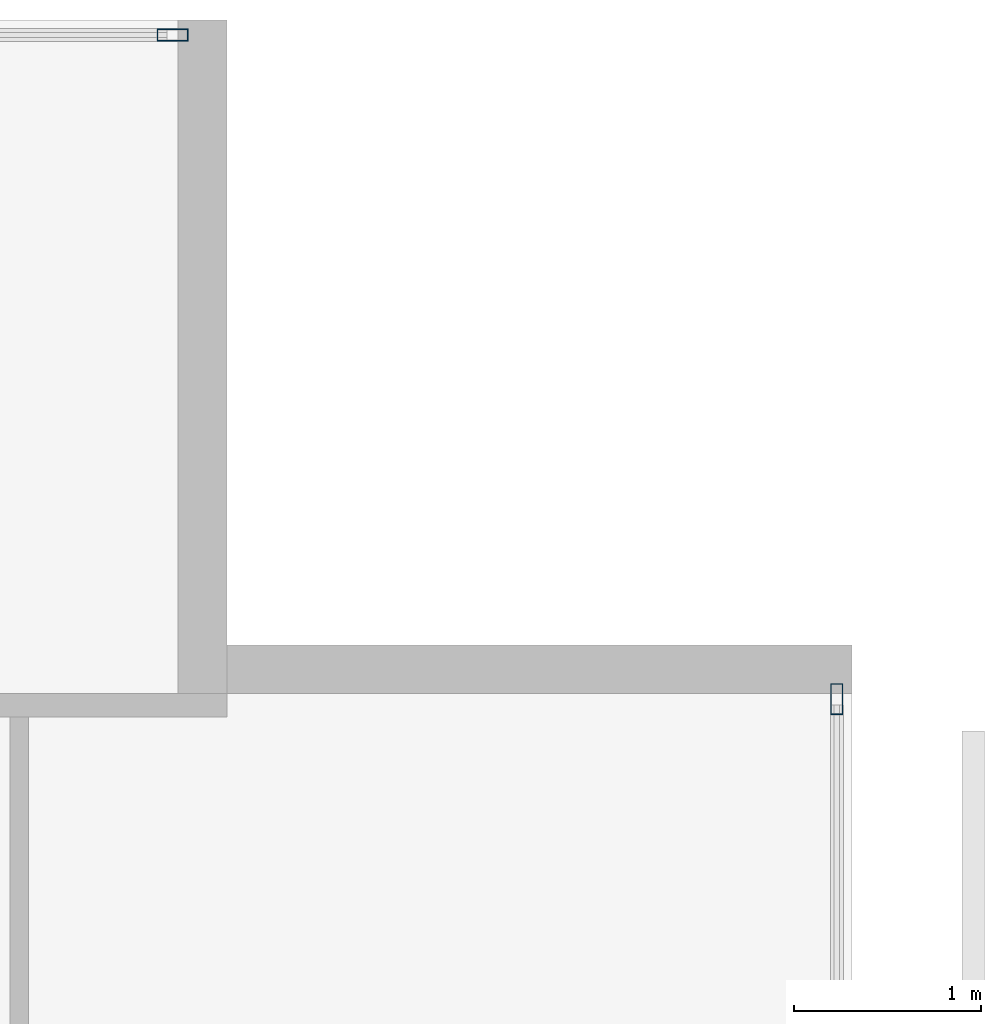
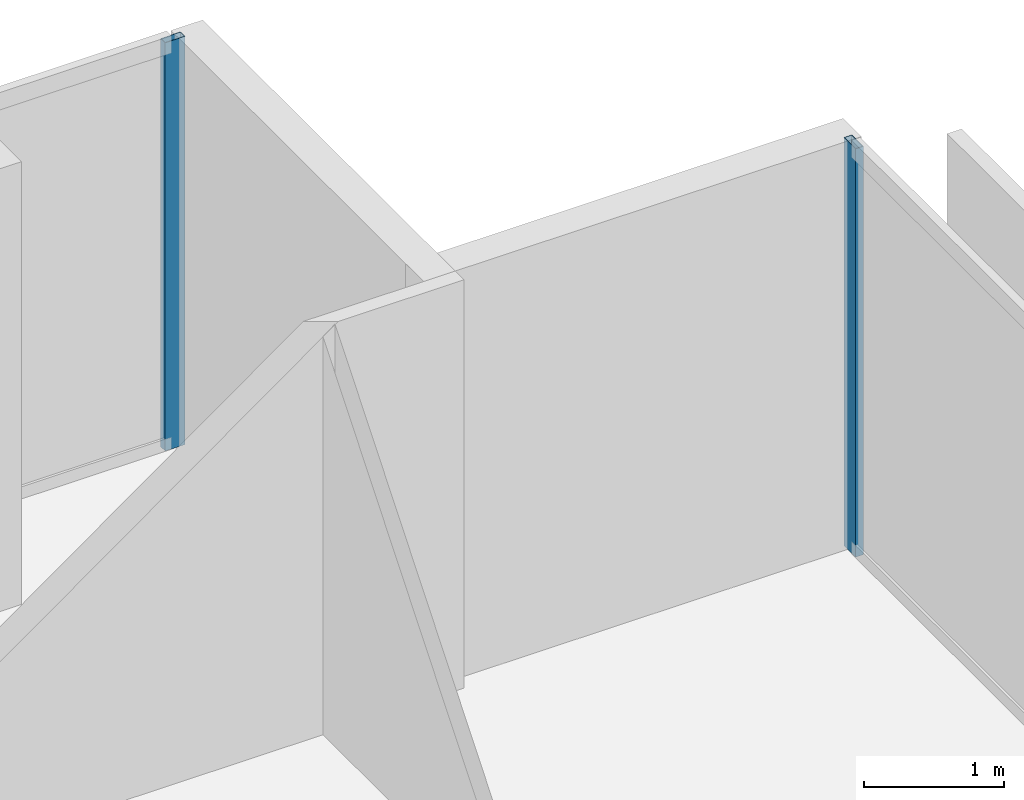
# One storey, part 31 of 39: 2 members, 2 elements without a shape of their own.
"""IFC4 building model written with IfcOpenShell, lengths in metres."""

from ifc_helpers import new_model, si_unit, direction, frame, origin, origin_2d, place, context, subcontext, project, spatial, hollow_rectangle, extrude, material, layer, layer_set, material_profile, profile_set, type_object, element, aggregate, save


model = new_model("IFC4")

# Units and contexts
model_context = context("Model", 3, precision=1e-05, world=origin(), true_north=direction((0.0, 1.0)))
body_context = subcontext(model_context, "Body", "Model", "MODEL_VIEW")
ifc_project = project(units=[si_unit("LENGTHUNIT", "METRE"), si_unit("AREAUNIT", "SQUARE_METRE"), si_unit("VOLUMEUNIT", "CUBIC_METRE"), si_unit("PLANEANGLEUNIT", "RADIAN"), si_unit("MASSUNIT", "GRAM", prefix="KILO")], contexts=[model_context])

# Site, building, storey
site_placement = place(None, origin())
site = spatial("IfcSite", under=ifc_project, at=site_placement, CompositionType="ELEMENT")
building_placement = place(site_placement, origin())
building = spatial("IfcBuilding", under=site, at=building_placement, Name="Maruvema Waterfront Hotel and Observation Tower", CompositionType="ELEMENT")
storey_placement = place(building_placement, frame((0.0, 0.0, 111.64990234375)))
storey = spatial("IfcBuildingStorey", under=building, at=storey_placement, Name="L27", CompositionType="ELEMENT", Elevation=111.64990234375)

# Curtain wall, member
ifc_material_1 = material(Name="Anodised bronze aluminium and solar-control low-E IGU", Category="aluminium")
ifc_layer = layer(ifc_material_1, 0.159912109375, Name="Zone 1 Bronze Inner Thermal Curtain Wall System CW-02")
ifc_layer_set = layer_set([ifc_layer], Name="Anodised bronze aluminium and solar-control low-E IGU")
curtain_wall_type = type_object("IfcCurtainWallType", Name="Zone 1 Bronze Inner Thermal Curtain Wall System CW-02", PredefinedType="USERDEFINED", material=ifc_layer_set)
curtain_wall_1_placement = place(storey_placement, origin())
curtain_wall_1 = element("IfcCurtainWall", 1, at=curtain_wall_1_placement, inside=storey, type_object=curtain_wall_type, Name="L27 Curtain Wall CW-L27-E", ObjectType="UNITISED CURTAIN WALL", PredefinedType="USERDEFINED")
ifc_material_2 = material(Name="Anodised architectural bronze aluminium", Category="aluminium")
ifc_material_profile = material_profile(ifc_material_2, hollow_rectangle(XDim=0.06494140625, YDim=0.1650390625, WallThickness=0.00390625, at=origin_2d()), Name="ALU-M65x165")
ifc_profile_set = profile_set([ifc_material_profile], Name="Anodised architectural bronze aluminium")
member_type = type_object("IfcMemberType", Name="Curtain Wall Primary Mullion ALU-M65x165", PredefinedType="MULLION", material=ifc_profile_set)
member_1_placement = place(storey_placement, frame((64.719970703125, 50.3701171875, 0.0), z_axis=(0.0, 0.0, 1.0), x_axis=(-1.0, 0.0, 0.0)))
member_1 = element("IfcMember", 2, at=member_1_placement, type_object=member_type, Name="CW-02 mullion 7", PredefinedType="MULLION", context=body_context, shape_type="SweptSolid", body=[
    extrude(hollow_rectangle(XDim=0.06494140625, YDim=0.1650390625, WallThickness=0.00390625, at=origin_2d()), origin(), (0.0, 0.0, 1.0), 3.550048828125),
])
aggregate(curtain_wall_1, [member_1])

curtain_wall_2_placement = place(storey_placement, origin())
curtain_wall_2 = element("IfcCurtainWall", 3, at=curtain_wall_2_placement, inside=storey, type_object=curtain_wall_type, Name="L27 Curtain Wall CW-L27-NE", ObjectType="UNITISED CURTAIN WALL", PredefinedType="USERDEFINED")
member_2_placement = place(storey_placement, frame((61.169921875, 53.919921875, 0.0), z_axis=(0.0, 0.0, 1.0), x_axis=(0.0, -1.0, 0.0)))
member_2 = element("IfcMember", 4, at=member_2_placement, type_object=member_type, Name="CW-02 mullion 1", PredefinedType="MULLION", context=body_context, shape_type="SweptSolid", body=[
    extrude(hollow_rectangle(XDim=0.06494140625, YDim=0.1650390625, WallThickness=0.00390625, at=origin_2d()), origin(), (0.0, 0.0, 1.0), 3.550048828125),
])
aggregate(curtain_wall_2, [member_2])

save(model, "model.ifc")
